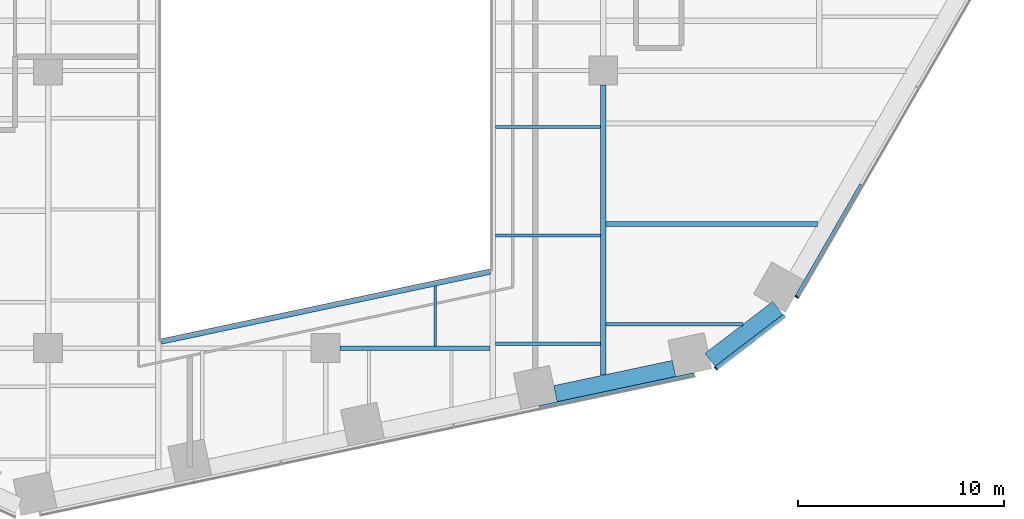
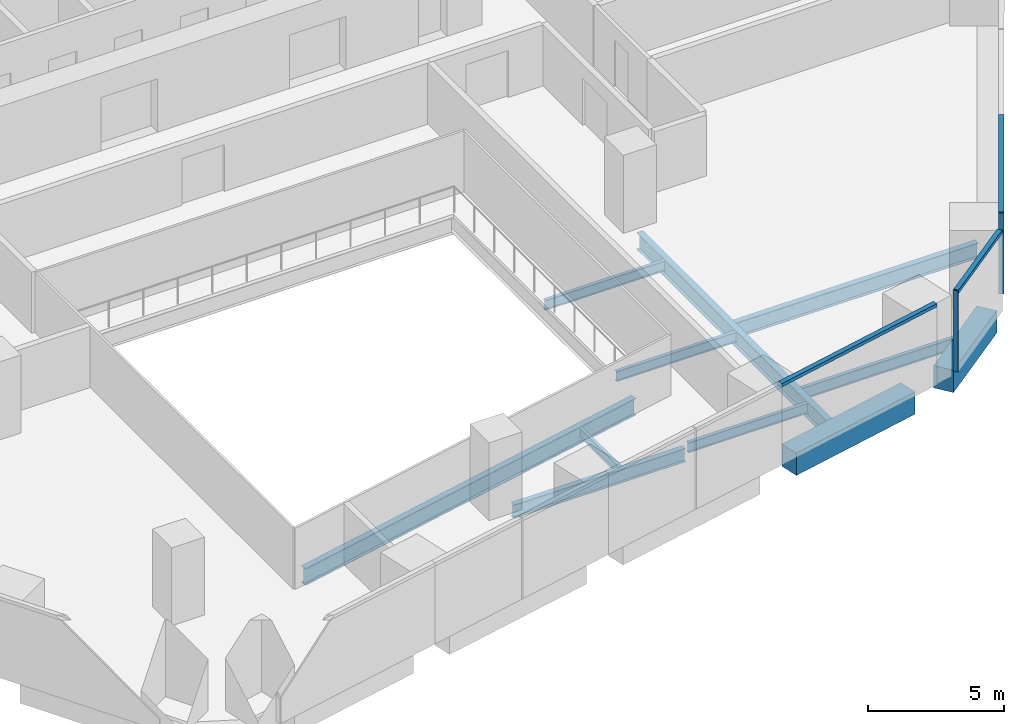
# One storey, part 5 of 21: 11 beams, 5 members, 3 elements without a shape of their own.
"""IFC4 building model written with IfcOpenShell, lengths in metres."""

from ifc_helpers import new_model, si_unit, direction, frame, origin, origin_2d, place, context, subcontext, project, spatial, rectangle, i_section, extrude, material, layer, layer_set, material_profile, profile_set, type_object, element, aggregate, save


model = new_model("IFC4")

# Units and contexts
model_context = context("Model", 3, precision=1e-05, world=origin(), true_north=direction((0.0, 1.0)))
body_context = subcontext(model_context, "Body", "Model", "MODEL_VIEW")
ifc_project = project(units=[si_unit("LENGTHUNIT", "METRE"), si_unit("AREAUNIT", "SQUARE_METRE"), si_unit("VOLUMEUNIT", "CUBIC_METRE"), si_unit("PLANEANGLEUNIT", "RADIAN"), si_unit("MASSUNIT", "GRAM", prefix="KILO")], contexts=[model_context])

# Site, building, storey
site_placement = place(None, origin())
site = spatial("IfcSite", under=ifc_project, at=site_placement, CompositionType="ELEMENT")
building_placement = place(site_placement, origin())
building = spatial("IfcBuilding", under=site, at=building_placement, Name="Isthmus Gate Tower", CompositionType="ELEMENT")
storey_placement = place(building_placement, frame((0.0, 0.0, 46.949951171875)))
storey = spatial("IfcBuildingStorey", under=building, at=storey_placement, Name="L09", CompositionType="ELEMENT", Elevation=46.949951171875)

# Curtain wall, member
ifc_material_1 = material(Name="Aluminium, pale champagne anodised", Category="aluminium")
ifc_layer = layer(ifc_material_1, 0.199951171875)
ifc_layer_set = layer_set([ifc_layer], Name="CW-1 UNITISED CURTAIN WALL 200 DEEP")
curtain_wall_type = type_object("IfcCurtainWallType", Name="CW-1 UNITISED CURTAIN WALL 200 DEEP", PredefinedType="NOTDEFINED", material=ifc_layer_set)
curtain_wall_1_placement = place(storey_placement, origin())
curtain_wall_1 = element("IfcCurtainWall", 1, at=curtain_wall_1_placement, inside=storey, type_object=curtain_wall_type, Name="CW-1 S-SE L09", PredefinedType="NOTDEFINED")
ifc_material_2 = material(Name="Aluminium, pale champagne anodised", Category="aluminium")
ifc_material_profile_1 = material_profile(ifc_material_2, rectangle(XDim=0.06005859375, YDim=0.199951171875, at=origin_2d()), Name="60x200")
ifc_profile_set_1 = profile_set([ifc_material_profile_1], Name="Aluminium, pale champagne anodised")
member_type_1 = type_object("IfcMemberType", Name="CW-1 MULLION 60 X 200", PredefinedType="MULLION", material=ifc_profile_set_1)
member_1_placement = place(storey_placement, frame((18.978759765625, -27.982421875, 0.0), z_axis=(0.0, 0.0, 1.0), x_axis=(0.794188594387, 0.607671355706, 0.0)))
member_1 = element("IfcMember", 2, at=member_1_placement, type_object=member_type_1, Name="CW-1 mullion", PredefinedType="MULLION", context=body_context, shape_type="SweptSolid", body=[
    extrude(rectangle(XDim=0.06005859375, YDim=0.199951171875, at=origin_2d()), origin(), (0.0, 0.0, 1.0), 3.650146484375),
])

curtain_wall_2_placement = place(storey_placement, origin())
curtain_wall_2 = element("IfcCurtainWall", 3, at=curtain_wall_2_placement, inside=storey, type_object=curtain_wall_type, Name="CW-1 SE L09", PredefinedType="NOTDEFINED")
member_2_placement = place(storey_placement, frame((22.91357421875, -24.5126953125, 0.0), z_axis=(0.0, 0.0, 1.0), x_axis=(0.5, 0.866025403784, 0.0)))
member_2 = element("IfcMember", 4, at=member_2_placement, type_object=member_type_1, Name="CW-1 mullion", PredefinedType="MULLION", context=body_context, shape_type="SweptSolid", body=[
    extrude(rectangle(XDim=0.06005859375, YDim=0.199951171875, at=origin_2d()), origin(), (0.0, 0.0, 1.0), 3.650146484375),
])

curtain_wall_3_placement = place(storey_placement, origin())
curtain_wall_3 = element("IfcCurtainWall", 5, at=curtain_wall_3_placement, inside=storey, type_object=curtain_wall_type, Name="CW-1 S L09", PredefinedType="NOTDEFINED")
ifc_material_3 = material(Name="Aluminium, pale champagne anodised", Category="aluminium")
ifc_material_profile_2 = material_profile(ifc_material_3, rectangle(XDim=0.199951171875, YDim=0.14990234375, at=origin_2d()), Name="200x150")
ifc_profile_set_2 = profile_set([ifc_material_profile_2], Name="Aluminium, pale champagne anodised")
member_type_2 = type_object("IfcMemberType", Name="CW-1 TRANSOM 200 X 150", PredefinedType="USERDEFINED", material=ifc_profile_set_2)
member_3_placement = place(storey_placement, frame((10.400146484375, -29.8916015625, 3.574951171875), z_axis=(0.978149085817, 0.207904703929, 0.0), x_axis=(-0.207904703929, 0.978149085817, 0.0)))
member_3 = element("IfcMember", 6, at=member_3_placement, type_object=member_type_2, Name="CW-1 transom", ObjectType="TRANSOM", PredefinedType="USERDEFINED", context=body_context, shape_type="SweptSolid", body=[
    extrude(rectangle(XDim=0.199951171875, YDim=0.14990234375, at=origin_2d()), origin(), (0.0, 0.0, 1.0), 7.689208984375),
])
aggregate(curtain_wall_3, [member_3])

# Member
member_4_placement = place(storey_placement, frame((19.002685546875, -27.96435546875, 3.574951171875), z_axis=(0.794175498212, 0.607688471209, 0.0), x_axis=(-0.607688471209, 0.794175498212, 0.0)))
member_4 = element("IfcMember", 7, at=member_4_placement, type_object=member_type_2, Name="CW-1 transom", ObjectType="TRANSOM", PredefinedType="USERDEFINED", context=body_context, shape_type="SweptSolid", body=[
    extrude(rectangle(XDim=0.199951171875, YDim=0.14990234375, at=origin_2d()), origin(), (0.0, 0.0, 1.0), 4.181396484375),
])

aggregate(curtain_wall_1, [member_1, member_4])

member_5_placement = place(storey_placement, frame((22.928466796875, -24.486572265625, 3.574951171875), z_axis=(0.50002426866, 0.866011391814, 0.0), x_axis=(-0.866011391814, 0.50002426866, 0.0)))
member_5 = element("IfcMember", 8, at=member_5_placement, type_object=member_type_2, Name="CW-1 transom", ObjectType="TRANSOM", PredefinedType="USERDEFINED", context=body_context, shape_type="SweptSolid", body=[
    extrude(rectangle(XDim=0.199951171875, YDim=0.14990234375, at=origin_2d()), origin(), (0.0, 0.0, 1.0), 6.278564453125),
])

aggregate(curtain_wall_2, [member_2, member_5])

# Beams
ifc_material_4 = material(Name="Concrete f'c 70 MPa", Category="concrete")
ifc_material_profile_3 = material_profile(ifc_material_4, rectangle(XDim=0.800048828125, YDim=1.0, at=origin_2d()), Name="RC 800X1000")
ifc_profile_set_3 = profile_set([ifc_material_profile_3], Name="Concrete f'c 70 MPa")
beam_type_1 = type_object("IfcBeamType", Name="RC SPANDREL 800 X 1000", PredefinedType="SPANDREL", material=ifc_profile_set_3)
beam_1_placement = place(storey_placement, frame((21.98681640625, -25.051513671875, -0.5), z_axis=(-0.794205941875, -0.607648682949, 0.0), x_axis=(0.607648682949, -0.794205941875, 0.0)))
element("IfcBeam", 9, at=beam_1_placement, inside=storey, type_object=beam_type_1, Name="str-spandrel-L09-09", PredefinedType="SPANDREL", context=body_context, shape_type="SweptSolid", body=[
    extrude(rectangle(XDim=0.800048828125, YDim=1.0, at=origin_2d()), origin(), (0.0, 0.0, 1.0), 4.15234375),
])
beam_2_placement = place(storey_placement, frame((16.937255859375, -27.990966796875, -0.5), z_axis=(-0.97815168619, -0.207892469327, 0.0), x_axis=(0.207892469327, -0.97815168619, 0.0)))
element("IfcBeam", 10, at=beam_2_placement, inside=storey, type_object=beam_type_1, Name="str-spandrel-L09-10", PredefinedType="SPANDREL", context=body_context, shape_type="SweptSolid", body=[
    extrude(rectangle(XDim=0.800048828125, YDim=1.0, at=origin_2d()), origin(), (0.0, 0.0, 1.0), 5.889404296875),
])
ifc_material_5 = material(Name="Structural steel ASTM A992 Gr 50", Category="steel")
ifc_material_profile_4 = material_profile(ifc_material_5, i_section(OverallWidth=0.1396484375, OverallDepth=0.4033203125, WebThickness=0.00634765625, FlangeThickness=0.010986328125, at=origin_2d()), Name="W16X31")
ifc_profile_set_4 = profile_set([ifc_material_profile_4], Name="Structural steel ASTM A992 Gr 50")
beam_type_2 = type_object("IfcBeamType", Name="STEEL FLOOR BEAM W16X31", PredefinedType="JOIST", material=ifc_profile_set_4)
beam_3_placement = place(storey_placement, frame((5.333251953125, -26.8857421875, -0.3515625), z_axis=(0.0, 1.0, 0.0), x_axis=(-1.0, 0.0, 0.0)))
element("IfcBeam", 11, at=beam_3_placement, inside=storey, type_object=beam_type_2, Name="str-beam-L09-17-00", PredefinedType="JOIST", context=body_context, shape_type="SweptSolid", body=[
    extrude(i_section(OverallWidth=0.1396484375, OverallDepth=0.4033203125, WebThickness=0.00634765625, FlangeThickness=0.010986328125, at=origin_2d()), origin(), (0.0, 0.0, 1.0), 2.903076171875),
])
ifc_material_6 = material(Name="Structural steel ASTM A992 Gr 50", Category="steel")
ifc_material_profile_5 = material_profile(ifc_material_6, i_section(OverallWidth=0.15234375, OverallDepth=0.45068359375, WebThickness=0.0078125, FlangeThickness=0.010986328125, at=origin_2d()), Name="W18X35")
ifc_profile_set_5 = profile_set([ifc_material_profile_5], Name="Structural steel ASTM A992 Gr 50")
beam_type_3 = type_object("IfcBeamType", Name="STEEL FLOOR BEAM W18X35", PredefinedType="JOIST", material=ifc_profile_set_5)
for number, where, z_axis, x_axis, name in (
    (12, (8.263427734375, -26.788818359375, -0.375244140625), (1.0, 0.0, 0.0), (0.0, 1.0, 0.0), "str-beam-L09-22-00"),
    (13, (8.263427734375, -21.51513671875, -0.375244140625), (1.0, 0.0, 0.0), (0.0, 1.0, 0.0), "str-beam-L09-22-01"),
    (14, (8.263427734375, -16.241455078125, -0.375244140625), (1.0, 0.0, 0.0), (0.0, 1.0, 0.0), "str-beam-L09-22-02"),
):
    element("IfcBeam", number, at=place(storey_placement, frame(where, z_axis=z_axis, x_axis=x_axis)), inside=storey, type_object=beam_type_3, Name=name, PredefinedType="JOIST", context=body_context, shape_type="SweptSolid", body=[
        extrude(i_section(OverallWidth=0.15234375, OverallDepth=0.45068359375, WebThickness=0.0078125, FlangeThickness=0.010986328125, at=origin_2d()), origin(), (0.0, 0.0, 1.0), 5.103271484375),
    ])
ifc_material_7 = material(Name="Structural steel ASTM A992 Gr 50", Category="steel")
ifc_material_profile_6 = material_profile(ifc_material_7, i_section(OverallWidth=0.1650390625, OverallDepth=0.52392578125, WebThickness=0.009521484375, FlangeThickness=0.010986328125, at=origin_2d()), Name="W21X44")
ifc_profile_set_6 = profile_set([ifc_material_profile_6], Name="Structural steel ASTM A992 Gr 50")
beam_type_4 = type_object("IfcBeamType", Name="STEEL FLOOR BEAM W21X44", PredefinedType="JOIST", material=ifc_profile_set_6)
beam_4_placement = place(storey_placement, frame((13.63330078125, -25.842529296875, -0.411865234375), z_axis=(1.0, 0.0, 0.0), x_axis=(0.0, 1.0, 0.0)))
element("IfcBeam", 15, at=beam_4_placement, inside=storey, type_object=beam_type_4, Name="str-beam-L09-28-00", PredefinedType="JOIST", context=body_context, shape_type="SweptSolid", body=[
    extrude(i_section(OverallWidth=0.1650390625, OverallDepth=0.52392578125, WebThickness=0.009521484375, FlangeThickness=0.010986328125, at=origin_2d()), origin(), (0.0, 0.0, 1.0), 6.661376953125),
])
ifc_material_8 = material(Name="Structural steel ASTM A992 Gr 50", Category="steel")
ifc_material_profile_7 = material_profile(ifc_material_8, i_section(OverallWidth=0.25390625, OverallDepth=0.679443359375, WebThickness=0.010986328125, FlangeThickness=0.015869140625, at=origin_2d()), Name="W27X84")
ifc_profile_set_7 = profile_set([ifc_material_profile_7], Name="Structural steel ASTM A992 Gr 50")
beam_type_5 = type_object("IfcBeamType", Name="STEEL FLOOR BEAM W27X84", PredefinedType="JOIST", material=ifc_profile_set_7)
beam_5_placement = place(storey_placement, frame((13.63330078125, -20.958740234375, -0.48974609375), z_axis=(1.0, 0.0, 0.0), x_axis=(0.0, 1.0, 0.0)))
element("IfcBeam", 16, at=beam_5_placement, inside=storey, type_object=beam_type_5, Name="str-beam-L09-28-01", PredefinedType="JOIST", context=body_context, shape_type="SweptSolid", body=[
    extrude(i_section(OverallWidth=0.25390625, OverallDepth=0.679443359375, WebThickness=0.010986328125, FlangeThickness=0.015869140625, at=origin_2d()), origin(), (0.0, 0.0, 1.0), 10.292724609375),
])
ifc_material_9 = material(Name="Structural steel ASTM A992 Gr 50", Category="steel")
ifc_material_profile_8 = material_profile(ifc_material_9, i_section(OverallWidth=0.228515625, OverallDepth=0.603271484375, WebThickness=0.010986328125, FlangeThickness=0.014404296875, at=origin_2d()), Name="W24X68")
ifc_profile_set_8 = profile_set([ifc_material_profile_8], Name="Structural steel ASTM A992 Gr 50")
beam_type_6 = type_object("IfcBeamType", Name="STEEL GIRDER W24X68", PredefinedType="BEAM", material=ifc_profile_set_8)
beam_6_placement = place(storey_placement, frame((0.699951171875, -27.0, -0.45166015625), z_axis=(1.0, 0.0, 0.0), x_axis=(0.0, 1.0, 0.0)))
element("IfcBeam", 17, at=beam_6_placement, inside=storey, type_object=beam_type_6, Name="str-girder-L09-04", PredefinedType="BEAM", context=body_context, shape_type="SweptSolid", body=[
    extrude(i_section(OverallWidth=0.228515625, OverallDepth=0.603271484375, WebThickness=0.010986328125, FlangeThickness=0.014404296875, at=origin_2d()), origin(), (0.0, 0.0, 1.0), 7.300048828125),
])
ifc_material_10 = material(Name="Structural steel ASTM A992 Gr 50", Category="steel")
ifc_material_profile_9 = material_profile(ifc_material_10, i_section(OverallWidth=0.2666015625, OverallDepth=0.7587890625, WebThickness=0.014404296875, FlangeThickness=0.01904296875, at=origin_2d()), Name="W30X108")
ifc_profile_set_9 = profile_set([ifc_material_profile_9], Name="Structural steel ASTM A992 Gr 50")
beam_type_7 = type_object("IfcBeamType", Name="STEEL GIRDER W30X108", PredefinedType="BEAM", material=ifc_profile_set_9)
beam_7_placement = place(storey_placement, frame((13.5, -28.3125, -0.529296875), z_axis=(0.0, 1.0, 0.0), x_axis=(-1.0, 0.0, 0.0)))
element("IfcBeam", 18, at=beam_7_placement, inside=storey, type_object=beam_type_7, Name="str-girder-L09-31", PredefinedType="BEAM", context=body_context, shape_type="SweptSolid", body=[
    extrude(i_section(OverallWidth=0.2666015625, OverallDepth=0.7587890625, WebThickness=0.014404296875, FlangeThickness=0.01904296875, at=origin_2d()), origin(), (0.0, 0.0, 1.0), 14.112548828125),
])
ifc_material_11 = material(Name="Structural steel ASTM A992 Gr 50", Category="steel")
ifc_material_profile_10 = material_profile(ifc_material_11, i_section(OverallWidth=0.2666015625, OverallDepth=0.7587890625, WebThickness=0.014404296875, FlangeThickness=0.01904296875, at=origin_2d()), Name="W30X108")
ifc_profile_set_10 = profile_set([ifc_material_profile_10], Name="Structural steel ASTM A992 Gr 50")
beam_type_8 = type_object("IfcBeamType", Name="STEEL TRIMMER W30X108", PredefinedType="BEAM", material=ifc_profile_set_10)
beam_8_placement = place(storey_placement, frame((-8.0, -26.680419921875, -0.529296875), z_axis=(0.978147924985, 0.20791016533, 0.0), x_axis=(-0.20791016533, 0.978147924985, 0.0)))
element("IfcBeam", 19, at=beam_8_placement, inside=storey, type_object=beam_type_8, Name="str-trimmer-L09-03", PredefinedType="BEAM", context=body_context, shape_type="SweptSolid", body=[
    extrude(i_section(OverallWidth=0.2666015625, OverallDepth=0.7587890625, WebThickness=0.014404296875, FlangeThickness=0.01904296875, at=origin_2d()), origin(), (0.0, 0.0, 1.0), 16.357421875),
])

save(model, "model.ifc")
